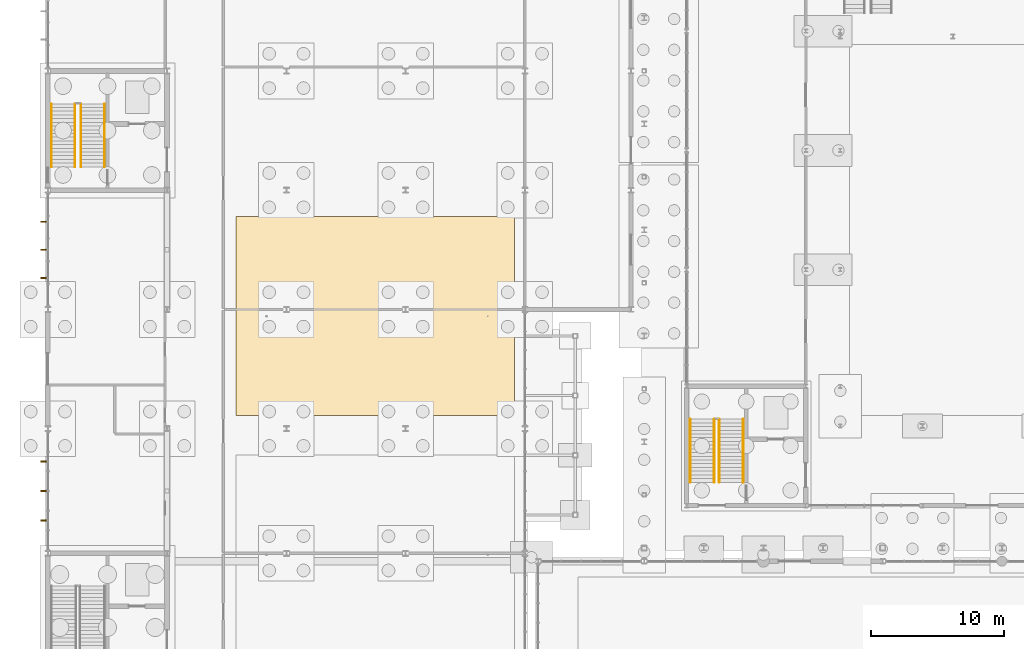
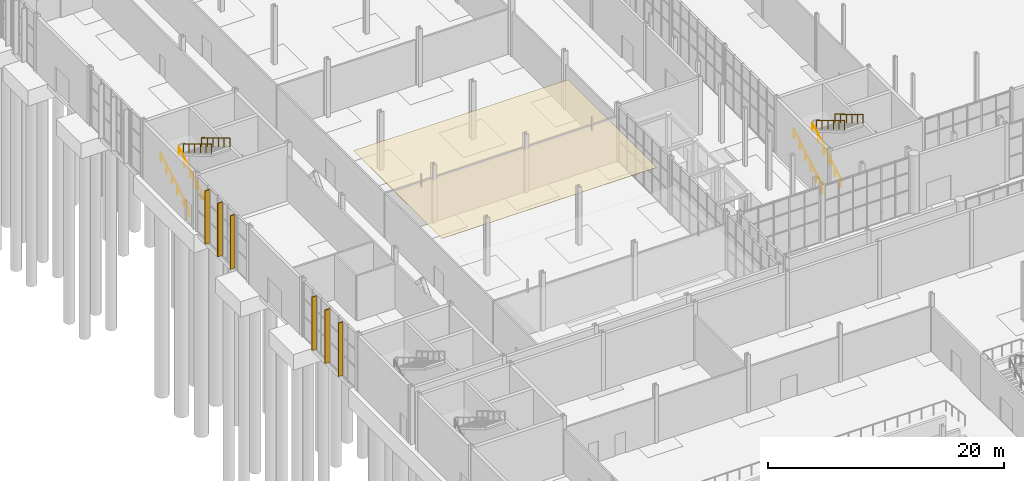
# One storey, part 121 of 131: 8 railings, 6 shading devices, 1 covering.
"""IFC4 building model written with IfcOpenShell, lengths in metres."""

from ifc_helpers import new_model, si_unit, direction, frame, origin, origin_2d, place, context, subcontext, project, spatial, polyline, rectangle, circle, outline, extrude, material, layer, layer_set, type_object, element, save


model = new_model("IFC4")

# Units and contexts
model_context = context("Model", 3, precision=1e-05, world=origin(), true_north=direction((0.0, 1.0)))
body_context = subcontext(model_context, "Body", "Model", "MODEL_VIEW")
ifc_project = project(units=[si_unit("LENGTHUNIT", "METRE"), si_unit("AREAUNIT", "SQUARE_METRE"), si_unit("VOLUMEUNIT", "CUBIC_METRE"), si_unit("PLANEANGLEUNIT", "RADIAN"), si_unit("MASSUNIT", "GRAM", prefix="KILO")], contexts=[model_context])

# Site, building, storey
site_placement = place(None, origin())
site = spatial("IfcSite", under=ifc_project, at=site_placement, CompositionType="ELEMENT")
building_placement = place(site_placement, origin())
building = spatial("IfcBuilding", under=site, at=building_placement, Name="Cazmaro Siding Exhibition Halls", CompositionType="ELEMENT")
storey_placement = place(building_placement, origin())
storey = spatial("IfcBuildingStorey", under=building, at=storey_placement, Name="L00", CompositionType="ELEMENT", Elevation=0.0)

# Covering
ifc_material_1 = material(Name="Perforated Micro-Slotted Acoustic Timber Ceiling Cloud", Category="wood")
ifc_layer = layer(ifc_material_1, 0.02490234375)
ifc_layer_set = layer_set([ifc_layer], Name="Perforated Micro-Slotted Acoustic Timber Ceiling Cloud")
covering_type = type_object("IfcCoveringType", Name="COV-CEIL-01", PredefinedType="CEILING", material=ifc_layer_set)
covering_placement = place(storey_placement, frame((0.0, 0.0, 4.39990234375)))
element("IfcCovering", 1, at=covering_placement, inside=storey, type_object=covering_type, Name="Acoustic Timber Ceiling Cloud 002", PredefinedType="CEILING", context=body_context, shape_type="SweptSolid", body=[
    extrude(outline(polyline([(14.199951171875, 74.0), (35.199951171875, 74.0), (35.199951171875, 89.0), (14.199951171875, 89.0), (14.199951171875, 74.0)])), origin(), (0.0, 0.0, 1.0), 0.025146484375),
])

# Railings
ifc_material_2 = material(Name="Brushed Stainless Steel Tubular Handrail", Category="steel")
railing_type = type_object("IfcRailingType", Name="RL-HR-01", PredefinedType="HANDRAIL", material=ifc_material_2)
railing_1_placement = place(storey_placement, frame((48.47998046875, 68.9599609375, 0.1669921875)))
element("IfcRailing", 2, at=railing_1_placement, inside=storey, type_object=railing_type, Name="ST-01 Flight 1 Handrail 1", PredefinedType="HANDRAIL", context=body_context, shape_type="SweptSolid", body=[
    extrude(circle(Radius=0.02392578125, at=origin_2d()), frame((0.0, 0.0, 0.89599609375), z_axis=(0.0, 0.859319172962, 0.511439692417), x_axis=(-1.0, 0.0, 0.0)), (0.0, 0.0, 1.0), 5.539306640625),
    extrude(circle(Radius=0.02099609375, at=origin_2d()), origin(), (0.0, 0.0, 1.0), 0.871826171875),
    extrude(circle(Radius=0.02099609375, at=origin_2d()), frame((0.0, 0.951904296875, 0.566650390625)), (0.0, 0.0, 1.0), 0.871826171875),
    extrude(circle(Radius=0.02099609375, at=origin_2d()), frame((0.0, 1.904052734375, 1.13330078125)), (0.0, 0.0, 1.0), 0.871826171875),
    extrude(circle(Radius=0.02099609375, at=origin_2d()), frame((0.0, 2.85595703125, 1.69970703125)), (0.0, 0.0, 1.0), 0.871826171875),
    extrude(circle(Radius=0.02099609375, at=origin_2d()), frame((0.0, 3.80810546875, 2.266357421875)), (0.0, 0.0, 1.0), 0.871826171875),
    extrude(circle(Radius=0.02099609375, at=origin_2d()), frame((0.0, 4.760009765625, 2.8330078125)), (0.0, 0.0, 1.0), 0.871826171875),
])
railing_2_placement = place(storey_placement, frame((50.6650390625, 73.719970703125, 3.1669921875)))
element("IfcRailing", 3, at=railing_2_placement, inside=storey, type_object=railing_type, Name="ST-01 Flight 2 Handrail 1", PredefinedType="HANDRAIL", context=body_context, shape_type="SweptSolid", body=[
    extrude(circle(Radius=0.02392578125, at=origin_2d()), frame((0.0, 0.0, 0.89599609375), z_axis=(0.0, -0.859319172962, 0.511439692417), x_axis=(1.0, 0.0, 0.0)), (0.0, 0.0, 1.0), 5.539306640625),
    extrude(circle(Radius=0.02099609375, at=origin_2d()), origin(), (0.0, 0.0, 1.0), 0.871826171875),
    extrude(circle(Radius=0.02099609375, at=origin_2d()), frame((0.0, -0.951904296875, 0.566650390625)), (0.0, 0.0, 1.0), 0.871826171875),
    extrude(circle(Radius=0.02099609375, at=origin_2d()), frame((0.0, -1.904052734375, 1.13330078125)), (0.0, 0.0, 1.0), 0.871826171875),
    extrude(circle(Radius=0.02099609375, at=origin_2d()), frame((0.0, -2.85595703125, 1.69970703125)), (0.0, 0.0, 1.0), 0.871826171875),
    extrude(circle(Radius=0.02099609375, at=origin_2d()), frame((0.0, -3.80810546875, 2.266357421875)), (0.0, 0.0, 1.0), 0.871826171875),
    extrude(circle(Radius=0.02099609375, at=origin_2d()), frame((0.0, -4.760009765625, 2.8330078125)), (0.0, 0.0, 1.0), 0.871826171875),
])
railing_3_placement = place(storey_placement, frame((50.2900390625, 68.9599609375, 0.1669921875)))
element("IfcRailing", 4, at=railing_3_placement, inside=storey, type_object=railing_type, Name="ST-01 Flight 1 Handrail 2", PredefinedType="HANDRAIL", context=body_context, shape_type="SweptSolid", body=[
    extrude(circle(Radius=0.02392578125, at=origin_2d()), frame((0.0, 0.0, 0.89599609375), z_axis=(0.0, 0.859319172962, 0.511439692417), x_axis=(-1.0, 0.0, 0.0)), (0.0, 0.0, 1.0), 5.539306640625),
    extrude(circle(Radius=0.02099609375, at=origin_2d()), origin(), (0.0, 0.0, 1.0), 0.871826171875),
    extrude(circle(Radius=0.02099609375, at=origin_2d()), frame((0.0, 0.951904296875, 0.566650390625)), (0.0, 0.0, 1.0), 0.871826171875),
    extrude(circle(Radius=0.02099609375, at=origin_2d()), frame((0.0, 1.904052734375, 1.13330078125)), (0.0, 0.0, 1.0), 0.871826171875),
    extrude(circle(Radius=0.02099609375, at=origin_2d()), frame((0.0, 2.85595703125, 1.69970703125)), (0.0, 0.0, 1.0), 0.871826171875),
    extrude(circle(Radius=0.02099609375, at=origin_2d()), frame((0.0, 3.80810546875, 2.266357421875)), (0.0, 0.0, 1.0), 0.871826171875),
    extrude(circle(Radius=0.02099609375, at=origin_2d()), frame((0.0, 4.760009765625, 2.8330078125)), (0.0, 0.0, 1.0), 0.871826171875),
])
railing_4_placement = place(storey_placement, frame((52.47509765625, 73.719970703125, 3.1669921875)))
element("IfcRailing", 5, at=railing_4_placement, inside=storey, type_object=railing_type, Name="ST-01 Flight 2 Handrail 2", PredefinedType="HANDRAIL", context=body_context, shape_type="SweptSolid", body=[
    extrude(circle(Radius=0.02392578125, at=origin_2d()), frame((0.0, 0.0, 0.89599609375), z_axis=(0.0, -0.859319172962, 0.511439692417), x_axis=(1.0, 0.0, 0.0)), (0.0, 0.0, 1.0), 5.539306640625),
    extrude(circle(Radius=0.02099609375, at=origin_2d()), origin(), (0.0, 0.0, 1.0), 0.871826171875),
    extrude(circle(Radius=0.02099609375, at=origin_2d()), frame((0.0, -0.951904296875, 0.566650390625)), (0.0, 0.0, 1.0), 0.871826171875),
    extrude(circle(Radius=0.02099609375, at=origin_2d()), frame((0.0, -1.904052734375, 1.13330078125)), (0.0, 0.0, 1.0), 0.871826171875),
    extrude(circle(Radius=0.02099609375, at=origin_2d()), frame((0.0, -2.85595703125, 1.69970703125)), (0.0, 0.0, 1.0), 0.871826171875),
    extrude(circle(Radius=0.02099609375, at=origin_2d()), frame((0.0, -3.80810546875, 2.266357421875)), (0.0, 0.0, 1.0), 0.871826171875),
    extrude(circle(Radius=0.02099609375, at=origin_2d()), frame((0.0, -4.760009765625, 2.8330078125)), (0.0, 0.0, 1.0), 0.871826171875),
])
railing_5_placement = place(storey_placement, frame((0.280029296875, 92.760009765625, 0.1669921875)))
element("IfcRailing", 6, at=railing_5_placement, inside=storey, type_object=railing_type, Name="ST-18 Flight 1 Handrail 1", PredefinedType="HANDRAIL", context=body_context, shape_type="SweptSolid", body=[
    extrude(circle(Radius=0.02392578125, at=origin_2d()), frame((0.0, 0.0, 0.89599609375), z_axis=(0.0, 0.859319172962, 0.511439692417), x_axis=(-1.0, 0.0, 0.0)), (0.0, 0.0, 1.0), 5.539306640625),
    extrude(circle(Radius=0.02099609375, at=origin_2d()), origin(), (0.0, 0.0, 1.0), 0.871826171875),
    extrude(circle(Radius=0.02099609375, at=origin_2d()), frame((0.0, 0.951904296875, 0.566650390625)), (0.0, 0.0, 1.0), 0.871826171875),
    extrude(circle(Radius=0.02099609375, at=origin_2d()), frame((0.0, 1.904052734375, 1.13330078125)), (0.0, 0.0, 1.0), 0.871826171875),
    extrude(circle(Radius=0.02099609375, at=origin_2d()), frame((0.0, 2.85595703125, 1.69970703125)), (0.0, 0.0, 1.0), 0.871826171875),
    extrude(circle(Radius=0.02099609375, at=origin_2d()), frame((0.0, 3.80810546875, 2.266357421875)), (0.0, 0.0, 1.0), 0.871826171875),
    extrude(circle(Radius=0.02099609375, at=origin_2d()), frame((0.0, 4.760009765625, 2.8330078125)), (0.0, 0.0, 1.0), 0.871826171875),
])
railing_6_placement = place(storey_placement, frame((2.4951171875, 97.52001953125, 3.1669921875)))
element("IfcRailing", 7, at=railing_6_placement, inside=storey, type_object=railing_type, Name="ST-18 Flight 2 Handrail 1", PredefinedType="HANDRAIL", context=body_context, shape_type="SweptSolid", body=[
    extrude(circle(Radius=0.02392578125, at=origin_2d()), frame((0.0, 0.0, 0.89599609375), z_axis=(0.0, -0.859319172962, 0.511439692417), x_axis=(1.0, 0.0, 0.0)), (0.0, 0.0, 1.0), 5.539306640625),
    extrude(circle(Radius=0.02099609375, at=origin_2d()), origin(), (0.0, 0.0, 1.0), 0.871826171875),
    extrude(circle(Radius=0.02099609375, at=origin_2d()), frame((0.0, -0.951904296875, 0.566650390625)), (0.0, 0.0, 1.0), 0.871826171875),
    extrude(circle(Radius=0.02099609375, at=origin_2d()), frame((0.0, -1.904052734375, 1.13330078125)), (0.0, 0.0, 1.0), 0.871826171875),
    extrude(circle(Radius=0.02099609375, at=origin_2d()), frame((0.0, -2.85595703125, 1.69970703125)), (0.0, 0.0, 1.0), 0.871826171875),
    extrude(circle(Radius=0.02099609375, at=origin_2d()), frame((0.0, -3.80810546875, 2.266357421875)), (0.0, 0.0, 1.0), 0.871826171875),
    extrude(circle(Radius=0.02099609375, at=origin_2d()), frame((0.0, -4.760009765625, 2.8330078125)), (0.0, 0.0, 1.0), 0.871826171875),
])
railing_7_placement = place(storey_placement, frame((2.06005859375, 92.760009765625, 0.1669921875)))
element("IfcRailing", 8, at=railing_7_placement, inside=storey, type_object=railing_type, Name="ST-18 Flight 1 Handrail 2", PredefinedType="HANDRAIL", context=body_context, shape_type="SweptSolid", body=[
    extrude(circle(Radius=0.02392578125, at=origin_2d()), frame((0.0, 0.0, 0.89599609375), z_axis=(0.0, 0.859319172962, 0.511439692417), x_axis=(-1.0, 0.0, 0.0)), (0.0, 0.0, 1.0), 5.539306640625),
    extrude(circle(Radius=0.02099609375, at=origin_2d()), origin(), (0.0, 0.0, 1.0), 0.871826171875),
    extrude(circle(Radius=0.02099609375, at=origin_2d()), frame((0.0, 0.951904296875, 0.566650390625)), (0.0, 0.0, 1.0), 0.871826171875),
    extrude(circle(Radius=0.02099609375, at=origin_2d()), frame((0.0, 1.904052734375, 1.13330078125)), (0.0, 0.0, 1.0), 0.871826171875),
    extrude(circle(Radius=0.02099609375, at=origin_2d()), frame((0.0, 2.85595703125, 1.69970703125)), (0.0, 0.0, 1.0), 0.871826171875),
    extrude(circle(Radius=0.02099609375, at=origin_2d()), frame((0.0, 3.80810546875, 2.266357421875)), (0.0, 0.0, 1.0), 0.871826171875),
    extrude(circle(Radius=0.02099609375, at=origin_2d()), frame((0.0, 4.760009765625, 2.8330078125)), (0.0, 0.0, 1.0), 0.871826171875),
])
railing_8_placement = place(storey_placement, frame((4.27490234375, 97.52001953125, 3.1669921875)))
element("IfcRailing", 9, at=railing_8_placement, inside=storey, type_object=railing_type, Name="ST-18 Flight 2 Handrail 2", PredefinedType="HANDRAIL", context=body_context, shape_type="SweptSolid", body=[
    extrude(circle(Radius=0.02392578125, at=origin_2d()), frame((0.0, 0.0, 0.89599609375), z_axis=(0.0, -0.859319172962, 0.511439692417), x_axis=(1.0, 0.0, 0.0)), (0.0, 0.0, 1.0), 5.539306640625),
    extrude(circle(Radius=0.02099609375, at=origin_2d()), origin(), (0.0, 0.0, 1.0), 0.871826171875),
    extrude(circle(Radius=0.02099609375, at=origin_2d()), frame((0.0, -0.951904296875, 0.566650390625)), (0.0, 0.0, 1.0), 0.871826171875),
    extrude(circle(Radius=0.02099609375, at=origin_2d()), frame((0.0, -1.904052734375, 1.13330078125)), (0.0, 0.0, 1.0), 0.871826171875),
    extrude(circle(Radius=0.02099609375, at=origin_2d()), frame((0.0, -2.85595703125, 1.69970703125)), (0.0, 0.0, 1.0), 0.871826171875),
    extrude(circle(Radius=0.02099609375, at=origin_2d()), frame((0.0, -3.80810546875, 2.266357421875)), (0.0, 0.0, 1.0), 0.871826171875),
    extrude(circle(Radius=0.02099609375, at=origin_2d()), frame((0.0, -4.760009765625, 2.8330078125)), (0.0, 0.0, 1.0), 0.871826171875),
])

# Shading devices
ifc_material_3 = material(Name="Extruded Kiln-Fired Terracotta Sunshade Louver", Category="concrete")
shading_device_type = type_object("IfcShadingDeviceType", Name="SHD-TC-01", PredefinedType="USERDEFINED", material=ifc_material_3)
for number, where, z_axis, x_axis, name in (
    (10, (-0.31494140625, 66.075927734375, 0.125), (0.0, 0.0, 1.0), (1.0, 0.0, 0.0), "Extruded Terracotta Vertical Sunshade Fin SHD-01 001"),
    (11, (-0.31494140625, 68.300048828125, 0.125), (0.0, 0.0, 1.0), (1.0, 0.0, 0.0), "Extruded Terracotta Vertical Sunshade Fin SHD-01 002"),
    (12, (-0.31494140625, 70.52294921875, 0.125), (0.0, 0.0, 1.0), (1.0, 0.0, 0.0), "Extruded Terracotta Vertical Sunshade Fin SHD-01 003"),
    (13, (-0.31494140625, 84.3759765625, 0.125), (0.0, 0.0, 1.0), (1.0, 0.0, 0.0), "Extruded Terracotta Vertical Sunshade Fin SHD-01 004"),
    (14, (-0.31494140625, 86.5, 0.125), (0.0, 0.0, 1.0), (1.0, 0.0, 0.0), "Extruded Terracotta Vertical Sunshade Fin SHD-01 005"),
    (15, (-0.31494140625, 88.6240234375, 0.125), (0.0, 0.0, 1.0), (1.0, 0.0, 0.0), "Extruded Terracotta Vertical Sunshade Fin SHD-01 006"),
):
    element("IfcShadingDevice", number, at=place(storey_placement, frame(where, z_axis=z_axis, x_axis=x_axis)), inside=storey, type_object=shading_device_type, Name=name, ObjectType="SUNSHADE", PredefinedType="USERDEFINED", context=body_context, shape_type="SweptSolid", body=[
        extrude(rectangle(XDim=0.449951171875, YDim=0.090087890625, at=origin_2d()), origin(), (0.0, 0.0, 1.0), 5.530029296875),
    ])

save(model, "model.ifc")
